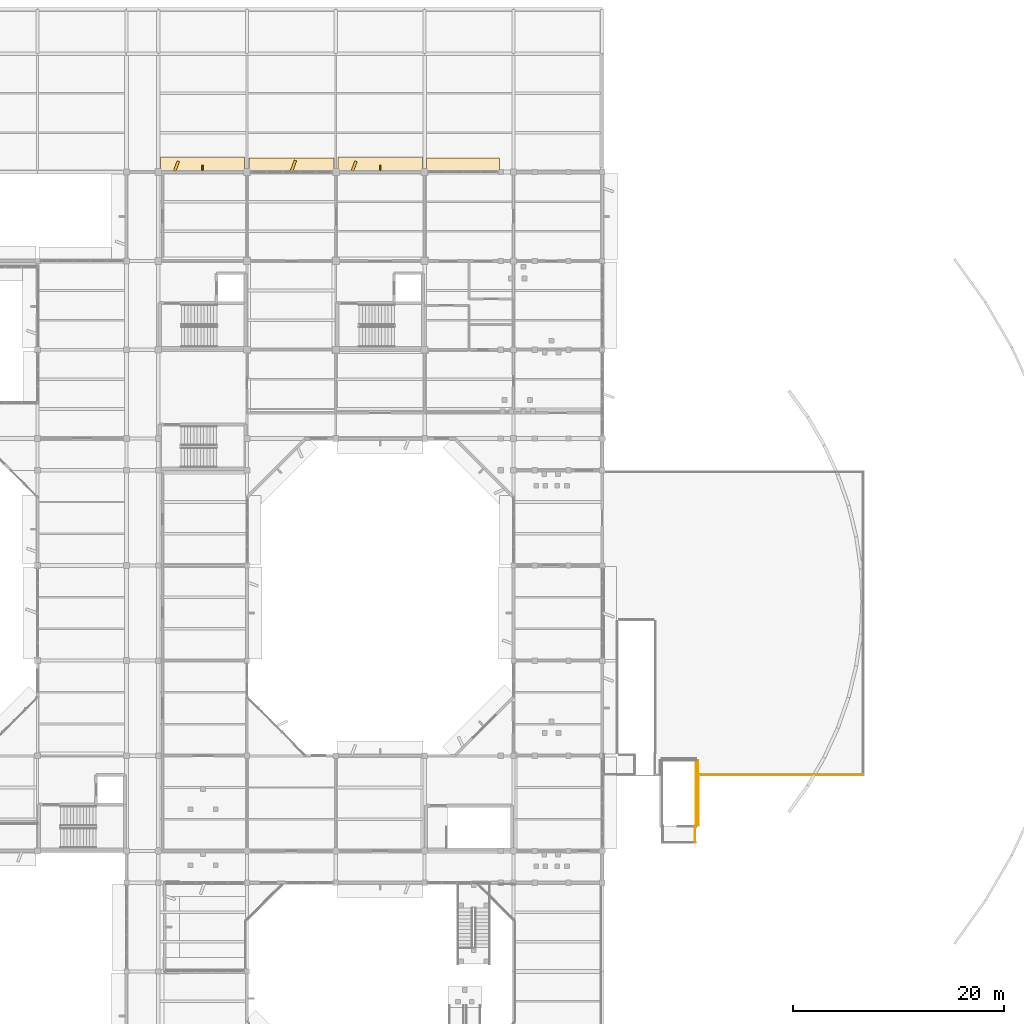
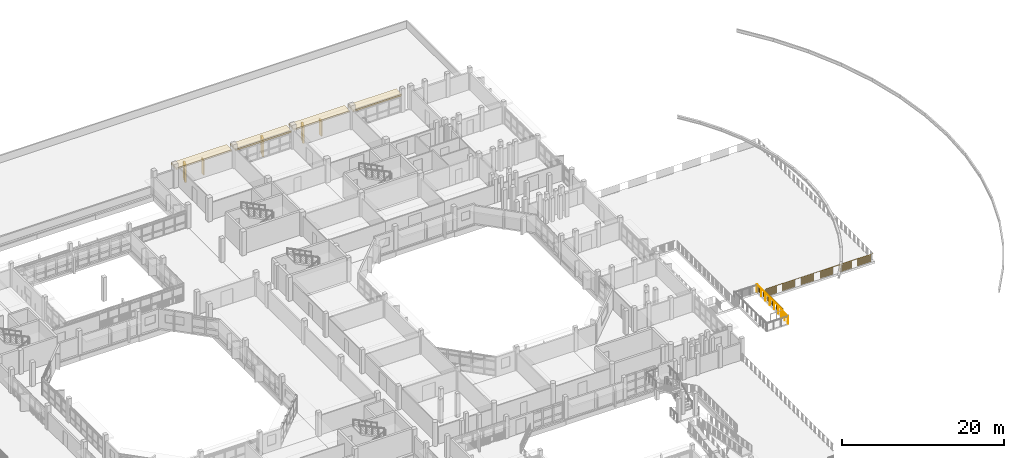
# One storey, part 90 of 92: 7 coverings, 5 railings, 2 shading devices.
"""IFC4 building model written with IfcOpenShell, lengths in metres."""

from ifc_helpers import new_model, si_unit, direction, frame, origin, origin_2d, place, context, subcontext, project, spatial, rectangle, circle, extrude, material, layer, layer_set, type_object, element, save


model = new_model("IFC4")

# Units and contexts
model_context = context("Model", 3, precision=1e-05, world=origin(), true_north=direction((0.0, 1.0)))
body_context = subcontext(model_context, "Body", "Model", "MODEL_VIEW")
ifc_project = project(units=[si_unit("LENGTHUNIT", "METRE"), si_unit("AREAUNIT", "SQUARE_METRE"), si_unit("VOLUMEUNIT", "CUBIC_METRE"), si_unit("PLANEANGLEUNIT", "RADIAN"), si_unit("MASSUNIT", "GRAM", prefix="KILO")], contexts=[model_context])

# Site, building, storey
site_placement = place(None, origin())
site = spatial("IfcSite", under=ifc_project, at=site_placement, CompositionType="ELEMENT")
building_placement = place(site_placement, origin())
building = spatial("IfcBuilding", under=site, at=building_placement, Name="Vanh Quang Courtyard School", CompositionType="ELEMENT")
storey_placement = place(building_placement, frame((0.0, 0.0, 7.800048828125)))
storey = spatial("IfcBuildingStorey", under=building, at=storey_placement, Name="L02", CompositionType="ELEMENT", Elevation=7.800048828125)

# Coverings
ifc_material_1 = material(Name="Board-marked precast concrete C40/50", Category="concrete")
ifc_layer = layer(ifc_material_1, 0.239990234375)
ifc_layer_set = layer_set([ifc_layer], Name="Board-marked precast concrete C40/50")
covering_type = type_object("IfcCoveringType", Name="COV-HOOD-CONC", PredefinedType="CLADDING", material=ifc_layer_set)
covering_1_placement = place(storey_placement, frame((81.60009765625, 97.340087890625, 2.39990234375), z_axis=(0.0, 0.0, 1.0), x_axis=(1.0, 0.0, 0.0)))
element("IfcCovering", 1, at=covering_1_placement, inside=storey, type_object=covering_type, Name="Covering CH-01 (L02)", PredefinedType="CLADDING", context=body_context, shape_type="SweptSolid", body=[
    extrude(rectangle(XDim=7.9541015625, YDim=1.35009765625, at=origin_2d()), origin(), (0.0, 0.0, 1.0), 0.239990234375),
])
covering_2_placement = place(storey_placement, frame((79.133544921875, 97.169921875, 0.0), z_axis=(0.0, 0.0, 1.0), x_axis=(0.346608245445, 0.938009980858, 0.0)))
element("IfcCovering", 2, at=covering_2_placement, inside=storey, type_object=covering_type, Name="Covering CH-01 (L02)", PredefinedType="CLADDING", context=body_context, shape_type="SweptSolid", body=[
    extrude(rectangle(XDim=0.980712890625, YDim=0.239990234375, at=origin_2d()), origin(), (0.0, 0.0, 1.0), 2.56005859375),
])
covering_3_placement = place(storey_placement, frame((90.0, 97.219970703125, 2.39990234375), z_axis=(0.0, 0.0, 1.0), x_axis=(1.0, 0.0, 0.0)))
element("IfcCovering", 3, at=covering_3_placement, inside=storey, type_object=covering_type, Name="Covering CH-01 (L02)", PredefinedType="CLADDING", context=body_context, shape_type="SweptSolid", body=[
    extrude(rectangle(XDim=8.033935546875, YDim=1.39990234375, at=origin_2d()), origin(), (0.0, 0.0, 1.0), 0.239990234375),
])
covering_4_placement = place(storey_placement, frame((90.18994140625, 97.18505859375, 0.0), z_axis=(0.0, 0.0, 1.0), x_axis=(0.340379550213, 0.94028812701, 0.0)))
element("IfcCovering", 4, at=covering_4_placement, inside=storey, type_object=covering_type, Name="Covering CH-01 (L02)", PredefinedType="CLADDING", context=body_context, shape_type="SweptSolid", body=[
    extrude(rectangle(XDim=1.11669921875, YDim=0.239990234375, at=origin_2d()), origin(), (0.0, 0.0, 1.0), 2.56005859375),
])
covering_5_placement = place(storey_placement, frame((98.39990234375, 97.340087890625, 2.39990234375), z_axis=(0.0, 0.0, 1.0), x_axis=(1.0, 0.0, 0.0)))
element("IfcCovering", 5, at=covering_5_placement, inside=storey, type_object=covering_type, Name="Covering CH-01 (L02)", PredefinedType="CLADDING", context=body_context, shape_type="SweptSolid", body=[
    extrude(rectangle(XDim=7.9541015625, YDim=1.35009765625, at=origin_2d()), origin(), (0.0, 0.0, 1.0), 0.239990234375),
])
covering_6_placement = place(storey_placement, frame((95.93359375, 97.169921875, 0.0), z_axis=(0.0, 0.0, 1.0), x_axis=(0.346608245445, 0.938009980858, 0.0)))
element("IfcCovering", 6, at=covering_6_placement, inside=storey, type_object=covering_type, Name="Covering CH-01 (L02)", PredefinedType="CLADDING", context=body_context, shape_type="SweptSolid", body=[
    extrude(rectangle(XDim=0.980712890625, YDim=0.239990234375, at=origin_2d()), origin(), (0.0, 0.0, 1.0), 2.56005859375),
])
covering_7_placement = place(storey_placement, frame((106.237548828125, 97.219970703125, 2.39990234375), z_axis=(0.0, 0.0, 1.0), x_axis=(1.0, 0.0, 0.0)))
element("IfcCovering", 7, at=covering_7_placement, inside=storey, type_object=covering_type, Name="Covering CH-01 (L02)", PredefinedType="CLADDING", context=body_context, shape_type="SweptSolid", body=[
    extrude(rectangle(XDim=6.908935546875, YDim=1.39990234375, at=origin_2d()), origin(), (0.0, 0.0, 1.0), 0.239990234375),
])

# Railings
ifc_material_2 = material(Name="Galvanised painted steel EN 10025-2 S355J2", Category="steel")
railing_type = type_object("IfcRailingType", Name="RAIL-GUARD-1150", PredefinedType="BALUSTRADE", material=ifc_material_2)
railing_1_placement = place(storey_placement, frame((144.06005859375, 39.639892578125, 0.0)))
element("IfcRailing", 8, at=railing_1_placement, inside=storey, type_object=railing_type, Name="Railing GR-01 (L02)", PredefinedType="BALUSTRADE", context=body_context, shape_type="SweptSolid", body=[
    extrude(circle(Radius=0.02392578125, at=origin_2d()), frame((0.0, 0.0, 1.1259765625), z_axis=(-1.0, 0.0, 0.0), x_axis=(0.0, -1.0, 0.0)), (0.0, 0.0, 1.0), 15.41015625),
    extrude(circle(Radius=0.02099609375, at=origin_2d()), origin(), (0.0, 0.0, 1.0), 1.101806640625),
    extrude(circle(Radius=0.02099609375, at=origin_2d()), frame((-0.138916015625, 0.0, 0.0)), (0.0, 0.0, 1.0), 1.101806640625),
    extrude(circle(Radius=0.02099609375, at=origin_2d()), frame((-0.277587890625, 0.0, 0.0)), (0.0, 0.0, 1.0), 1.101806640625),
    extrude(circle(Radius=0.02099609375, at=origin_2d()), frame((-0.41650390625, 0.0, 0.0)), (0.0, 0.0, 1.0), 1.101806640625),
    extrude(circle(Radius=0.02099609375, at=origin_2d()), frame((-0.555419921875, 0.0, 0.0)), (0.0, 0.0, 1.0), 1.101806640625),
    extrude(circle(Radius=0.02099609375, at=origin_2d()), frame((-0.694091796875, 0.0, 0.0)), (0.0, 0.0, 1.0), 1.101806640625),
    extrude(circle(Radius=0.02099609375, at=origin_2d()), frame((-0.8330078125, 0.0, 0.0)), (0.0, 0.0, 1.0), 1.101806640625),
    extrude(circle(Radius=0.02099609375, at=origin_2d()), frame((-0.971923828125, 0.0, 0.0)), (0.0, 0.0, 1.0), 1.101806640625),
    extrude(circle(Radius=0.02099609375, at=origin_2d()), frame((-1.110595703125, 0.0, 0.0)), (0.0, 0.0, 1.0), 1.101806640625),
    extrude(circle(Radius=0.02099609375, at=origin_2d()), frame((-1.24951171875, 0.0, 0.0)), (0.0, 0.0, 1.0), 1.101806640625),
    extrude(circle(Radius=0.02099609375, at=origin_2d()), frame((-1.38818359375, 0.0, 0.0)), (0.0, 0.0, 1.0), 1.101806640625),
    extrude(circle(Radius=0.02099609375, at=origin_2d()), frame((-1.527099609375, 0.0, 0.0)), (0.0, 0.0, 1.0), 1.101806640625),
    extrude(circle(Radius=0.02099609375, at=origin_2d()), frame((-1.666015625, 0.0, 0.0)), (0.0, 0.0, 1.0), 1.101806640625),
    extrude(circle(Radius=0.02099609375, at=origin_2d()), frame((-1.8046875, 0.0, 0.0)), (0.0, 0.0, 1.0), 1.101806640625),
    extrude(circle(Radius=0.02099609375, at=origin_2d()), frame((-1.943603515625, 0.0, 0.0)), (0.0, 0.0, 1.0), 1.101806640625),
    extrude(circle(Radius=0.02099609375, at=origin_2d()), frame((-2.08251953125, 0.0, 0.0)), (0.0, 0.0, 1.0), 1.101806640625),
    extrude(circle(Radius=0.02099609375, at=origin_2d()), frame((-2.22119140625, 0.0, 0.0)), (0.0, 0.0, 1.0), 1.101806640625),
    extrude(circle(Radius=0.02099609375, at=origin_2d()), frame((-2.360107421875, 0.0, 0.0)), (0.0, 0.0, 1.0), 1.101806640625),
    extrude(circle(Radius=0.02099609375, at=origin_2d()), frame((-2.4990234375, 0.0, 0.0)), (0.0, 0.0, 1.0), 1.101806640625),
    extrude(circle(Radius=0.02099609375, at=origin_2d()), frame((-2.6376953125, 0.0, 0.0)), (0.0, 0.0, 1.0), 1.101806640625),
    extrude(circle(Radius=0.02099609375, at=origin_2d()), frame((-2.776611328125, 0.0, 0.0)), (0.0, 0.0, 1.0), 1.101806640625),
    extrude(circle(Radius=0.02099609375, at=origin_2d()), frame((-2.91552734375, 0.0, 0.0)), (0.0, 0.0, 1.0), 1.101806640625),
    extrude(circle(Radius=0.02099609375, at=origin_2d()), frame((-3.05419921875, 0.0, 0.0)), (0.0, 0.0, 1.0), 1.101806640625),
    extrude(circle(Radius=0.02099609375, at=origin_2d()), frame((-3.193115234375, 0.0, 0.0)), (0.0, 0.0, 1.0), 1.101806640625),
    extrude(circle(Radius=0.02099609375, at=origin_2d()), frame((-3.33203125, 0.0, 0.0)), (0.0, 0.0, 1.0), 1.101806640625),
    extrude(circle(Radius=0.02099609375, at=origin_2d()), frame((-3.470703125, 0.0, 0.0)), (0.0, 0.0, 1.0), 1.101806640625),
    extrude(circle(Radius=0.02099609375, at=origin_2d()), frame((-3.609619140625, 0.0, 0.0)), (0.0, 0.0, 1.0), 1.101806640625),
    extrude(circle(Radius=0.02099609375, at=origin_2d()), frame((-3.74853515625, 0.0, 0.0)), (0.0, 0.0, 1.0), 1.101806640625),
    extrude(circle(Radius=0.02099609375, at=origin_2d()), frame((-3.88720703125, 0.0, 0.0)), (0.0, 0.0, 1.0), 1.101806640625),
    extrude(circle(Radius=0.02099609375, at=origin_2d()), frame((-4.026123046875, 0.0, 0.0)), (0.0, 0.0, 1.0), 1.101806640625),
    extrude(circle(Radius=0.02099609375, at=origin_2d()), frame((-4.164794921875, 0.0, 0.0)), (0.0, 0.0, 1.0), 1.101806640625),
    extrude(circle(Radius=0.02099609375, at=origin_2d()), frame((-4.3037109375, 0.0, 0.0)), (0.0, 0.0, 1.0), 1.101806640625),
    extrude(circle(Radius=0.02099609375, at=origin_2d()), frame((-4.442626953125, 0.0, 0.0)), (0.0, 0.0, 1.0), 1.101806640625),
    extrude(circle(Radius=0.02099609375, at=origin_2d()), frame((-4.581298828125, 0.0, 0.0)), (0.0, 0.0, 1.0), 1.101806640625),
    extrude(circle(Radius=0.02099609375, at=origin_2d()), frame((-4.72021484375, 0.0, 0.0)), (0.0, 0.0, 1.0), 1.101806640625),
    extrude(circle(Radius=0.02099609375, at=origin_2d()), frame((-4.859130859375, 0.0, 0.0)), (0.0, 0.0, 1.0), 1.101806640625),
    extrude(circle(Radius=0.02099609375, at=origin_2d()), frame((-4.997802734375, 0.0, 0.0)), (0.0, 0.0, 1.0), 1.101806640625),
    extrude(circle(Radius=0.02099609375, at=origin_2d()), frame((-5.13671875, 0.0, 0.0)), (0.0, 0.0, 1.0), 1.101806640625),
    extrude(circle(Radius=0.02099609375, at=origin_2d()), frame((-5.275634765625, 0.0, 0.0)), (0.0, 0.0, 1.0), 1.101806640625),
    extrude(circle(Radius=0.02099609375, at=origin_2d()), frame((-5.414306640625, 0.0, 0.0)), (0.0, 0.0, 1.0), 1.101806640625),
    extrude(circle(Radius=0.02099609375, at=origin_2d()), frame((-5.55322265625, 0.0, 0.0)), (0.0, 0.0, 1.0), 1.101806640625),
    extrude(circle(Radius=0.02099609375, at=origin_2d()), frame((-5.692138671875, 0.0, 0.0)), (0.0, 0.0, 1.0), 1.101806640625),
    extrude(circle(Radius=0.02099609375, at=origin_2d()), frame((-5.830810546875, 0.0, 0.0)), (0.0, 0.0, 1.0), 1.101806640625),
    extrude(circle(Radius=0.02099609375, at=origin_2d()), frame((-5.9697265625, 0.0, 0.0)), (0.0, 0.0, 1.0), 1.101806640625),
    extrude(circle(Radius=0.02099609375, at=origin_2d()), frame((-6.108642578125, 0.0, 0.0)), (0.0, 0.0, 1.0), 1.101806640625),
    extrude(circle(Radius=0.02099609375, at=origin_2d()), frame((-6.247314453125, 0.0, 0.0)), (0.0, 0.0, 1.0), 1.101806640625),
    extrude(circle(Radius=0.02099609375, at=origin_2d()), frame((-6.38623046875, 0.0, 0.0)), (0.0, 0.0, 1.0), 1.101806640625),
    extrude(circle(Radius=0.02099609375, at=origin_2d()), frame((-6.52490234375, 0.0, 0.0)), (0.0, 0.0, 1.0), 1.101806640625),
    extrude(circle(Radius=0.02099609375, at=origin_2d()), frame((-6.663818359375, 0.0, 0.0)), (0.0, 0.0, 1.0), 1.101806640625),
    extrude(circle(Radius=0.02099609375, at=origin_2d()), frame((-6.802734375, 0.0, 0.0)), (0.0, 0.0, 1.0), 1.101806640625),
    extrude(circle(Radius=0.02099609375, at=origin_2d()), frame((-6.94140625, 0.0, 0.0)), (0.0, 0.0, 1.0), 1.101806640625),
    extrude(circle(Radius=0.02099609375, at=origin_2d()), frame((-7.080322265625, 0.0, 0.0)), (0.0, 0.0, 1.0), 1.101806640625),
    extrude(circle(Radius=0.02099609375, at=origin_2d()), frame((-7.21923828125, 0.0, 0.0)), (0.0, 0.0, 1.0), 1.101806640625),
    extrude(circle(Radius=0.02099609375, at=origin_2d()), frame((-7.35791015625, 0.0, 0.0)), (0.0, 0.0, 1.0), 1.101806640625),
    extrude(circle(Radius=0.02099609375, at=origin_2d()), frame((-7.496826171875, 0.0, 0.0)), (0.0, 0.0, 1.0), 1.101806640625),
    extrude(circle(Radius=0.02099609375, at=origin_2d()), frame((-7.6357421875, 0.0, 0.0)), (0.0, 0.0, 1.0), 1.101806640625),
    extrude(circle(Radius=0.02099609375, at=origin_2d()), frame((-7.7744140625, 0.0, 0.0)), (0.0, 0.0, 1.0), 1.101806640625),
    extrude(circle(Radius=0.02099609375, at=origin_2d()), frame((-7.913330078125, 0.0, 0.0)), (0.0, 0.0, 1.0), 1.101806640625),
    extrude(circle(Radius=0.02099609375, at=origin_2d()), frame((-8.05224609375, 0.0, 0.0)), (0.0, 0.0, 1.0), 1.101806640625),
    extrude(circle(Radius=0.02099609375, at=origin_2d()), frame((-8.19091796875, 0.0, 0.0)), (0.0, 0.0, 1.0), 1.101806640625),
    extrude(circle(Radius=0.02099609375, at=origin_2d()), frame((-8.329833984375, 0.0, 0.0)), (0.0, 0.0, 1.0), 1.101806640625),
    extrude(circle(Radius=0.02099609375, at=origin_2d()), frame((-8.46875, 0.0, 0.0)), (0.0, 0.0, 1.0), 1.101806640625),
    extrude(circle(Radius=0.02099609375, at=origin_2d()), frame((-8.607421875, 0.0, 0.0)), (0.0, 0.0, 1.0), 1.101806640625),
    extrude(circle(Radius=0.02099609375, at=origin_2d()), frame((-8.746337890625, 0.0, 0.0)), (0.0, 0.0, 1.0), 1.101806640625),
    extrude(circle(Radius=0.02099609375, at=origin_2d()), frame((-8.88525390625, 0.0, 0.0)), (0.0, 0.0, 1.0), 1.101806640625),
    extrude(circle(Radius=0.02099609375, at=origin_2d()), frame((-9.02392578125, 0.0, 0.0)), (0.0, 0.0, 1.0), 1.101806640625),
    extrude(circle(Radius=0.02099609375, at=origin_2d()), frame((-9.162841796875, 0.0, 0.0)), (0.0, 0.0, 1.0), 1.101806640625),
    extrude(circle(Radius=0.02099609375, at=origin_2d()), frame((-9.301513671875, 0.0, 0.0)), (0.0, 0.0, 1.0), 1.101806640625),
    extrude(circle(Radius=0.02099609375, at=origin_2d()), frame((-9.4404296875, 0.0, 0.0)), (0.0, 0.0, 1.0), 1.101806640625),
    extrude(circle(Radius=0.02099609375, at=origin_2d()), frame((-9.579345703125, 0.0, 0.0)), (0.0, 0.0, 1.0), 1.101806640625),
    extrude(circle(Radius=0.02099609375, at=origin_2d()), frame((-9.718017578125, 0.0, 0.0)), (0.0, 0.0, 1.0), 1.101806640625),
    extrude(circle(Radius=0.02099609375, at=origin_2d()), frame((-9.85693359375, 0.0, 0.0)), (0.0, 0.0, 1.0), 1.101806640625),
    extrude(circle(Radius=0.02099609375, at=origin_2d()), frame((-9.995849609375, 0.0, 0.0)), (0.0, 0.0, 1.0), 1.101806640625),
    extrude(circle(Radius=0.02099609375, at=origin_2d()), frame((-10.134521484375, 0.0, 0.0)), (0.0, 0.0, 1.0), 1.101806640625),
    extrude(circle(Radius=0.02099609375, at=origin_2d()), frame((-10.2734375, 0.0, 0.0)), (0.0, 0.0, 1.0), 1.101806640625),
    extrude(circle(Radius=0.02099609375, at=origin_2d()), frame((-10.412353515625, 0.0, 0.0)), (0.0, 0.0, 1.0), 1.101806640625),
    extrude(circle(Radius=0.02099609375, at=origin_2d()), frame((-10.551025390625, 0.0, 0.0)), (0.0, 0.0, 1.0), 1.101806640625),
    extrude(circle(Radius=0.02099609375, at=origin_2d()), frame((-10.68994140625, 0.0, 0.0)), (0.0, 0.0, 1.0), 1.101806640625),
    extrude(circle(Radius=0.02099609375, at=origin_2d()), frame((-10.828857421875, 0.0, 0.0)), (0.0, 0.0, 1.0), 1.101806640625),
    extrude(circle(Radius=0.02099609375, at=origin_2d()), frame((-10.967529296875, 0.0, 0.0)), (0.0, 0.0, 1.0), 1.101806640625),
    extrude(circle(Radius=0.02099609375, at=origin_2d()), frame((-11.1064453125, 0.0, 0.0)), (0.0, 0.0, 1.0), 1.101806640625),
    extrude(circle(Radius=0.02099609375, at=origin_2d()), frame((-11.245361328125, 0.0, 0.0)), (0.0, 0.0, 1.0), 1.101806640625),
    extrude(circle(Radius=0.02099609375, at=origin_2d()), frame((-11.384033203125, 0.0, 0.0)), (0.0, 0.0, 1.0), 1.101806640625),
    extrude(circle(Radius=0.02099609375, at=origin_2d()), frame((-11.52294921875, 0.0, 0.0)), (0.0, 0.0, 1.0), 1.101806640625),
    extrude(circle(Radius=0.02099609375, at=origin_2d()), frame((-11.66162109375, 0.0, 0.0)), (0.0, 0.0, 1.0), 1.101806640625),
    extrude(circle(Radius=0.02099609375, at=origin_2d()), frame((-11.800537109375, 0.0, 0.0)), (0.0, 0.0, 1.0), 1.101806640625),
    extrude(circle(Radius=0.02099609375, at=origin_2d()), frame((-11.939453125, 0.0, 0.0)), (0.0, 0.0, 1.0), 1.101806640625),
    extrude(circle(Radius=0.02099609375, at=origin_2d()), frame((-12.078125, 0.0, 0.0)), (0.0, 0.0, 1.0), 1.101806640625),
    extrude(circle(Radius=0.02099609375, at=origin_2d()), frame((-12.217041015625, 0.0, 0.0)), (0.0, 0.0, 1.0), 1.101806640625),
    extrude(circle(Radius=0.02099609375, at=origin_2d()), frame((-12.35595703125, 0.0, 0.0)), (0.0, 0.0, 1.0), 1.101806640625),
    extrude(circle(Radius=0.02099609375, at=origin_2d()), frame((-12.49462890625, 0.0, 0.0)), (0.0, 0.0, 1.0), 1.101806640625),
    extrude(circle(Radius=0.02099609375, at=origin_2d()), frame((-12.633544921875, 0.0, 0.0)), (0.0, 0.0, 1.0), 1.101806640625),
    extrude(circle(Radius=0.02099609375, at=origin_2d()), frame((-12.7724609375, 0.0, 0.0)), (0.0, 0.0, 1.0), 1.101806640625),
    extrude(circle(Radius=0.02099609375, at=origin_2d()), frame((-12.9111328125, 0.0, 0.0)), (0.0, 0.0, 1.0), 1.101806640625),
    extrude(circle(Radius=0.02099609375, at=origin_2d()), frame((-13.050048828125, 0.0, 0.0)), (0.0, 0.0, 1.0), 1.101806640625),
    extrude(circle(Radius=0.02099609375, at=origin_2d()), frame((-13.18896484375, 0.0, 0.0)), (0.0, 0.0, 1.0), 1.101806640625),
    extrude(circle(Radius=0.02099609375, at=origin_2d()), frame((-13.32763671875, 0.0, 0.0)), (0.0, 0.0, 1.0), 1.101806640625),
    extrude(circle(Radius=0.02099609375, at=origin_2d()), frame((-13.466552734375, 0.0, 0.0)), (0.0, 0.0, 1.0), 1.101806640625),
    extrude(circle(Radius=0.02099609375, at=origin_2d()), frame((-13.60546875, 0.0, 0.0)), (0.0, 0.0, 1.0), 1.101806640625),
    extrude(circle(Radius=0.02099609375, at=origin_2d()), frame((-13.744140625, 0.0, 0.0)), (0.0, 0.0, 1.0), 1.101806640625),
    extrude(circle(Radius=0.02099609375, at=origin_2d()), frame((-13.883056640625, 0.0, 0.0)), (0.0, 0.0, 1.0), 1.101806640625),
    extrude(circle(Radius=0.02099609375, at=origin_2d()), frame((-14.02197265625, 0.0, 0.0)), (0.0, 0.0, 1.0), 1.101806640625),
    extrude(circle(Radius=0.02099609375, at=origin_2d()), frame((-14.16064453125, 0.0, 0.0)), (0.0, 0.0, 1.0), 1.101806640625),
    extrude(circle(Radius=0.02099609375, at=origin_2d()), frame((-14.299560546875, 0.0, 0.0)), (0.0, 0.0, 1.0), 1.101806640625),
    extrude(circle(Radius=0.02099609375, at=origin_2d()), frame((-14.438232421875, 0.0, 0.0)), (0.0, 0.0, 1.0), 1.101806640625),
    extrude(circle(Radius=0.02099609375, at=origin_2d()), frame((-14.5771484375, 0.0, 0.0)), (0.0, 0.0, 1.0), 1.101806640625),
    extrude(circle(Radius=0.02099609375, at=origin_2d()), frame((-14.716064453125, 0.0, 0.0)), (0.0, 0.0, 1.0), 1.101806640625),
    extrude(circle(Radius=0.02099609375, at=origin_2d()), frame((-14.854736328125, 0.0, 0.0)), (0.0, 0.0, 1.0), 1.101806640625),
    extrude(circle(Radius=0.02099609375, at=origin_2d()), frame((-14.99365234375, 0.0, 0.0)), (0.0, 0.0, 1.0), 1.101806640625),
    extrude(circle(Radius=0.02099609375, at=origin_2d()), frame((-15.132568359375, 0.0, 0.0)), (0.0, 0.0, 1.0), 1.101806640625),
    extrude(circle(Radius=0.02099609375, at=origin_2d()), frame((-15.271240234375, 0.0, 0.0)), (0.0, 0.0, 1.0), 1.101806640625),
    extrude(circle(Radius=0.02099609375, at=origin_2d()), frame((-15.41015625, 0.0, 0.0)), (0.0, 0.0, 1.0), 1.101806640625),
])
railing_2_placement = place(storey_placement, frame((128.4599609375, 39.449951171875, 0.0)))
element("IfcRailing", 9, at=railing_2_placement, inside=storey, type_object=railing_type, Name="Railing GR-01 (L02)", PredefinedType="BALUSTRADE", context=body_context, shape_type="SweptSolid", body=[
    extrude(circle(Radius=0.02392578125, at=origin_2d()), frame((0.0, 0.0, 1.1259765625), z_axis=(0.0, -1.0, 0.0), x_axis=(1.0, 0.0, 0.0)), (0.0, 0.0, 1.0), 4.60986328125),
    extrude(circle(Radius=0.02099609375, at=origin_2d()), origin(), (0.0, 0.0, 1.0), 1.101806640625),
    extrude(circle(Radius=0.02099609375, at=origin_2d()), frame((0.0, -0.1396484375, 0.0)), (0.0, 0.0, 1.0), 1.101806640625),
    extrude(circle(Radius=0.02099609375, at=origin_2d()), frame((0.0, -0.279296875, 0.0)), (0.0, 0.0, 1.0), 1.101806640625),
    extrude(circle(Radius=0.02099609375, at=origin_2d()), frame((0.0, -0.419189453125, 0.0)), (0.0, 0.0, 1.0), 1.101806640625),
    extrude(circle(Radius=0.02099609375, at=origin_2d()), frame((0.0, -0.558837890625, 0.0)), (0.0, 0.0, 1.0), 1.101806640625),
    extrude(circle(Radius=0.02099609375, at=origin_2d()), frame((0.0, -0.698486328125, 0.0)), (0.0, 0.0, 1.0), 1.101806640625),
    extrude(circle(Radius=0.02099609375, at=origin_2d()), frame((0.0, -0.838134765625, 0.0)), (0.0, 0.0, 1.0), 1.101806640625),
    extrude(circle(Radius=0.02099609375, at=origin_2d()), frame((0.0, -0.977783203125, 0.0)), (0.0, 0.0, 1.0), 1.101806640625),
    extrude(circle(Radius=0.02099609375, at=origin_2d()), frame((0.0, -1.117431640625, 0.0)), (0.0, 0.0, 1.0), 1.101806640625),
    extrude(circle(Radius=0.02099609375, at=origin_2d()), frame((0.0, -1.25732421875, 0.0)), (0.0, 0.0, 1.0), 1.101806640625),
    extrude(circle(Radius=0.02099609375, at=origin_2d()), frame((0.0, -1.39697265625, 0.0)), (0.0, 0.0, 1.0), 1.101806640625),
    extrude(circle(Radius=0.02099609375, at=origin_2d()), frame((0.0, -1.53662109375, 0.0)), (0.0, 0.0, 1.0), 1.101806640625),
    extrude(circle(Radius=0.02099609375, at=origin_2d()), frame((0.0, -1.67626953125, 0.0)), (0.0, 0.0, 1.0), 1.101806640625),
    extrude(circle(Radius=0.02099609375, at=origin_2d()), frame((0.0, -1.81591796875, 0.0)), (0.0, 0.0, 1.0), 1.101806640625),
    extrude(circle(Radius=0.02099609375, at=origin_2d()), frame((0.0, -1.955810546875, 0.0)), (0.0, 0.0, 1.0), 1.101806640625),
    extrude(circle(Radius=0.02099609375, at=origin_2d()), frame((0.0, -2.095458984375, 0.0)), (0.0, 0.0, 1.0), 1.101806640625),
    extrude(circle(Radius=0.02099609375, at=origin_2d()), frame((0.0, -2.235107421875, 0.0)), (0.0, 0.0, 1.0), 1.101806640625),
    extrude(circle(Radius=0.02099609375, at=origin_2d()), frame((0.0, -2.374755859375, 0.0)), (0.0, 0.0, 1.0), 1.101806640625),
    extrude(circle(Radius=0.02099609375, at=origin_2d()), frame((0.0, -2.514404296875, 0.0)), (0.0, 0.0, 1.0), 1.101806640625),
    extrude(circle(Radius=0.02099609375, at=origin_2d()), frame((0.0, -2.654052734375, 0.0)), (0.0, 0.0, 1.0), 1.101806640625),
    extrude(circle(Radius=0.02099609375, at=origin_2d()), frame((0.0, -2.7939453125, 0.0)), (0.0, 0.0, 1.0), 1.101806640625),
    extrude(circle(Radius=0.02099609375, at=origin_2d()), frame((0.0, -2.93359375, 0.0)), (0.0, 0.0, 1.0), 1.101806640625),
    extrude(circle(Radius=0.02099609375, at=origin_2d()), frame((0.0, -3.0732421875, 0.0)), (0.0, 0.0, 1.0), 1.101806640625),
    extrude(circle(Radius=0.02099609375, at=origin_2d()), frame((0.0, -3.212890625, 0.0)), (0.0, 0.0, 1.0), 1.101806640625),
    extrude(circle(Radius=0.02099609375, at=origin_2d()), frame((0.0, -3.3525390625, 0.0)), (0.0, 0.0, 1.0), 1.101806640625),
    extrude(circle(Radius=0.02099609375, at=origin_2d()), frame((0.0, -3.492431640625, 0.0)), (0.0, 0.0, 1.0), 1.101806640625),
    extrude(circle(Radius=0.02099609375, at=origin_2d()), frame((0.0, -3.632080078125, 0.0)), (0.0, 0.0, 1.0), 1.101806640625),
    extrude(circle(Radius=0.02099609375, at=origin_2d()), frame((0.0, -3.771728515625, 0.0)), (0.0, 0.0, 1.0), 1.101806640625),
    extrude(circle(Radius=0.02099609375, at=origin_2d()), frame((0.0, -3.911376953125, 0.0)), (0.0, 0.0, 1.0), 1.101806640625),
    extrude(circle(Radius=0.02099609375, at=origin_2d()), frame((0.0, -4.051025390625, 0.0)), (0.0, 0.0, 1.0), 1.101806640625),
    extrude(circle(Radius=0.02099609375, at=origin_2d()), frame((0.0, -4.190673828125, 0.0)), (0.0, 0.0, 1.0), 1.101806640625),
    extrude(circle(Radius=0.02099609375, at=origin_2d()), frame((0.0, -4.33056640625, 0.0)), (0.0, 0.0, 1.0), 1.101806640625),
    extrude(circle(Radius=0.02099609375, at=origin_2d()), frame((0.0, -4.47021484375, 0.0)), (0.0, 0.0, 1.0), 1.101806640625),
    extrude(circle(Radius=0.02099609375, at=origin_2d()), frame((0.0, -4.60986328125, 0.0)), (0.0, 0.0, 1.0), 1.101806640625),
])
railing_3_placement = place(storey_placement, frame((128.43994140625, 34.840087890625, 0.0)))
element("IfcRailing", 10, at=railing_3_placement, inside=storey, type_object=railing_type, Name="Railing GR-01 (L02)", PredefinedType="BALUSTRADE", context=body_context, shape_type="SweptSolid", body=[
    extrude(circle(Radius=0.02392578125, at=origin_2d()), frame((0.0, 0.0, 1.1259765625), z_axis=(0.0, 1.0, 0.0), x_axis=(-1.0, 0.0, 0.0)), (0.0, 0.0, 1.0), 6.10986328125),
    extrude(circle(Radius=0.02099609375, at=origin_2d()), origin(), (0.0, 0.0, 1.0), 1.101806640625),
    extrude(circle(Radius=0.02099609375, at=origin_2d()), frame((0.0, 0.138916015625, 0.0)), (0.0, 0.0, 1.0), 1.101806640625),
    extrude(circle(Radius=0.02099609375, at=origin_2d()), frame((0.0, 0.27783203125, 0.0)), (0.0, 0.0, 1.0), 1.101806640625),
    extrude(circle(Radius=0.02099609375, at=origin_2d()), frame((0.0, 0.41650390625, 0.0)), (0.0, 0.0, 1.0), 1.101806640625),
    extrude(circle(Radius=0.02099609375, at=origin_2d()), frame((0.0, 0.555419921875, 0.0)), (0.0, 0.0, 1.0), 1.101806640625),
    extrude(circle(Radius=0.02099609375, at=origin_2d()), frame((0.0, 0.6943359375, 0.0)), (0.0, 0.0, 1.0), 1.101806640625),
    extrude(circle(Radius=0.02099609375, at=origin_2d()), frame((0.0, 0.833251953125, 0.0)), (0.0, 0.0, 1.0), 1.101806640625),
    extrude(circle(Radius=0.02099609375, at=origin_2d()), frame((0.0, 0.971923828125, 0.0)), (0.0, 0.0, 1.0), 1.101806640625),
    extrude(circle(Radius=0.02099609375, at=origin_2d()), frame((0.0, 1.11083984375, 0.0)), (0.0, 0.0, 1.0), 1.101806640625),
    extrude(circle(Radius=0.02099609375, at=origin_2d()), frame((0.0, 1.249755859375, 0.0)), (0.0, 0.0, 1.0), 1.101806640625),
    extrude(circle(Radius=0.02099609375, at=origin_2d()), frame((0.0, 1.388671875, 0.0)), (0.0, 0.0, 1.0), 1.101806640625),
    extrude(circle(Radius=0.02099609375, at=origin_2d()), frame((0.0, 1.52734375, 0.0)), (0.0, 0.0, 1.0), 1.101806640625),
    extrude(circle(Radius=0.02099609375, at=origin_2d()), frame((0.0, 1.666259765625, 0.0)), (0.0, 0.0, 1.0), 1.101806640625),
    extrude(circle(Radius=0.02099609375, at=origin_2d()), frame((0.0, 1.80517578125, 0.0)), (0.0, 0.0, 1.0), 1.101806640625),
    extrude(circle(Radius=0.02099609375, at=origin_2d()), frame((0.0, 1.944091796875, 0.0)), (0.0, 0.0, 1.0), 1.101806640625),
    extrude(circle(Radius=0.02099609375, at=origin_2d()), frame((0.0, 2.0830078125, 0.0)), (0.0, 0.0, 1.0), 1.101806640625),
    extrude(circle(Radius=0.02099609375, at=origin_2d()), frame((0.0, 2.2216796875, 0.0)), (0.0, 0.0, 1.0), 1.101806640625),
    extrude(circle(Radius=0.02099609375, at=origin_2d()), frame((0.0, 2.360595703125, 0.0)), (0.0, 0.0, 1.0), 1.101806640625),
    extrude(circle(Radius=0.02099609375, at=origin_2d()), frame((0.0, 2.49951171875, 0.0)), (0.0, 0.0, 1.0), 1.101806640625),
    extrude(circle(Radius=0.02099609375, at=origin_2d()), frame((0.0, 2.638427734375, 0.0)), (0.0, 0.0, 1.0), 1.101806640625),
    extrude(circle(Radius=0.02099609375, at=origin_2d()), frame((0.0, 2.777099609375, 0.0)), (0.0, 0.0, 1.0), 1.101806640625),
    extrude(circle(Radius=0.02099609375, at=origin_2d()), frame((0.0, 2.916015625, 0.0)), (0.0, 0.0, 1.0), 1.101806640625),
    extrude(circle(Radius=0.02099609375, at=origin_2d()), frame((0.0, 3.054931640625, 0.0)), (0.0, 0.0, 1.0), 1.101806640625),
    extrude(circle(Radius=0.02099609375, at=origin_2d()), frame((0.0, 3.19384765625, 0.0)), (0.0, 0.0, 1.0), 1.101806640625),
    extrude(circle(Radius=0.02099609375, at=origin_2d()), frame((0.0, 3.332763671875, 0.0)), (0.0, 0.0, 1.0), 1.101806640625),
    extrude(circle(Radius=0.02099609375, at=origin_2d()), frame((0.0, 3.471435546875, 0.0)), (0.0, 0.0, 1.0), 1.101806640625),
    extrude(circle(Radius=0.02099609375, at=origin_2d()), frame((0.0, 3.6103515625, 0.0)), (0.0, 0.0, 1.0), 1.101806640625),
    extrude(circle(Radius=0.02099609375, at=origin_2d()), frame((0.0, 3.749267578125, 0.0)), (0.0, 0.0, 1.0), 1.101806640625),
    extrude(circle(Radius=0.02099609375, at=origin_2d()), frame((0.0, 3.88818359375, 0.0)), (0.0, 0.0, 1.0), 1.101806640625),
    extrude(circle(Radius=0.02099609375, at=origin_2d()), frame((0.0, 4.02685546875, 0.0)), (0.0, 0.0, 1.0), 1.101806640625),
    extrude(circle(Radius=0.02099609375, at=origin_2d()), frame((0.0, 4.165771484375, 0.0)), (0.0, 0.0, 1.0), 1.101806640625),
    extrude(circle(Radius=0.02099609375, at=origin_2d()), frame((0.0, 4.3046875, 0.0)), (0.0, 0.0, 1.0), 1.101806640625),
    extrude(circle(Radius=0.02099609375, at=origin_2d()), frame((0.0, 4.443603515625, 0.0)), (0.0, 0.0, 1.0), 1.101806640625),
    extrude(circle(Radius=0.02099609375, at=origin_2d()), frame((0.0, 4.58251953125, 0.0)), (0.0, 0.0, 1.0), 1.101806640625),
    extrude(circle(Radius=0.02099609375, at=origin_2d()), frame((0.0, 4.72119140625, 0.0)), (0.0, 0.0, 1.0), 1.101806640625),
    extrude(circle(Radius=0.02099609375, at=origin_2d()), frame((0.0, 4.860107421875, 0.0)), (0.0, 0.0, 1.0), 1.101806640625),
    extrude(circle(Radius=0.02099609375, at=origin_2d()), frame((0.0, 4.9990234375, 0.0)), (0.0, 0.0, 1.0), 1.101806640625),
    extrude(circle(Radius=0.02099609375, at=origin_2d()), frame((0.0, 5.137939453125, 0.0)), (0.0, 0.0, 1.0), 1.101806640625),
    extrude(circle(Radius=0.02099609375, at=origin_2d()), frame((0.0, 5.276611328125, 0.0)), (0.0, 0.0, 1.0), 1.101806640625),
    extrude(circle(Radius=0.02099609375, at=origin_2d()), frame((0.0, 5.41552734375, 0.0)), (0.0, 0.0, 1.0), 1.101806640625),
    extrude(circle(Radius=0.02099609375, at=origin_2d()), frame((0.0, 5.554443359375, 0.0)), (0.0, 0.0, 1.0), 1.101806640625),
    extrude(circle(Radius=0.02099609375, at=origin_2d()), frame((0.0, 5.693359375, 0.0)), (0.0, 0.0, 1.0), 1.101806640625),
    extrude(circle(Radius=0.02099609375, at=origin_2d()), frame((0.0, 5.83203125, 0.0)), (0.0, 0.0, 1.0), 1.101806640625),
    extrude(circle(Radius=0.02099609375, at=origin_2d()), frame((0.0, 5.970947265625, 0.0)), (0.0, 0.0, 1.0), 1.101806640625),
    extrude(circle(Radius=0.02099609375, at=origin_2d()), frame((0.0, 6.10986328125, 0.0)), (0.0, 0.0, 1.0), 1.101806640625),
])
railing_4_placement = place(storey_placement, frame((128.25, 34.637939453125, 0.0)))
element("IfcRailing", 11, at=railing_4_placement, inside=storey, type_object=railing_type, Name="L02 ST-T2 top well guard 2", PredefinedType="BALUSTRADE", context=body_context, shape_type="SweptSolid", body=[
    extrude(circle(Radius=0.02392578125, at=origin_2d()), frame((0.0, 0.0, 1.1259765625), z_axis=(0.0, 1.0, 0.0), x_axis=(-1.0, 0.0, 0.0)), (0.0, 0.0, 1.0), 6.3740234375),
    extrude(circle(Radius=0.02099609375, at=origin_2d()), origin(), (0.0, 0.0, 1.0), 1.101806640625),
    extrude(circle(Radius=0.02099609375, at=origin_2d()), frame((0.0, 1.062255859375, 0.0)), (0.0, 0.0, 1.0), 1.101806640625),
    extrude(circle(Radius=0.02099609375, at=origin_2d()), frame((0.0, 2.124755859375, 0.0)), (0.0, 0.0, 1.0), 1.101806640625),
    extrude(circle(Radius=0.02099609375, at=origin_2d()), frame((0.0, 3.18701171875, 0.0)), (0.0, 0.0, 1.0), 1.101806640625),
    extrude(circle(Radius=0.02099609375, at=origin_2d()), frame((0.0, 4.249267578125, 0.0)), (0.0, 0.0, 1.0), 1.101806640625),
    extrude(circle(Radius=0.02099609375, at=origin_2d()), frame((0.0, 5.311767578125, 0.0)), (0.0, 0.0, 1.0), 1.101806640625),
    extrude(circle(Radius=0.02099609375, at=origin_2d()), frame((0.0, 6.3740234375, 0.0)), (0.0, 0.0, 1.0), 1.101806640625),
])
railing_5_placement = place(storey_placement, frame((128.14990234375, 33.18798828125, 0.0)))
element("IfcRailing", 12, at=railing_5_placement, inside=storey, type_object=railing_type, Name="L02 ST-T2 top well guard 5", PredefinedType="BALUSTRADE", context=body_context, shape_type="SweptSolid", body=[
    extrude(circle(Radius=0.02392578125, at=origin_2d()), frame((0.0, 0.0, 1.1259765625), z_axis=(0.0, 1.0, 0.0), x_axis=(-1.0, 0.0, 0.0)), (0.0, 0.0, 1.0), 1.573974609375),
    extrude(circle(Radius=0.02099609375, at=origin_2d()), origin(), (0.0, 0.0, 1.0), 1.101806640625),
    extrude(circle(Radius=0.02099609375, at=origin_2d()), frame((0.0, 0.787109375, 0.0)), (0.0, 0.0, 1.0), 1.101806640625),
    extrude(circle(Radius=0.02099609375, at=origin_2d()), frame((0.0, 1.573974609375, 0.0)), (0.0, 0.0, 1.0), 1.101806640625),
])

# Shading devices
shading_device_type = type_object("IfcShadingDeviceType", Name="SHD-FIN-CONCRETE", PredefinedType="USERDEFINED", material=ifc_material_1)
for number, where, z_axis, x_axis, name in (
    (13, (81.60009765625, 96.9951171875, 0.14990234375), (0.0, 0.0, 1.0), (1.0, 0.0, 0.0), "Solar Shading SH-02 (L02)"),
    (14, (98.39990234375, 96.9951171875, 0.14990234375), (0.0, 0.0, 1.0), (1.0, 0.0, 0.0), "Solar Shading SH-02 (L02)"),
):
    element("IfcShadingDevice", number, at=place(storey_placement, frame(where, z_axis=z_axis, x_axis=x_axis)), inside=storey, type_object=shading_device_type, Name=name, ObjectType="Solar Shading SH-02 (L02)", PredefinedType="USERDEFINED", context=body_context, shape_type="SweptSolid", body=[
        extrude(rectangle(XDim=0.139892578125, YDim=0.550048828125, at=origin_2d()), origin(), (0.0, 0.0, 1.0), 2.340087890625),
    ])

save(model, "model.ifc")
